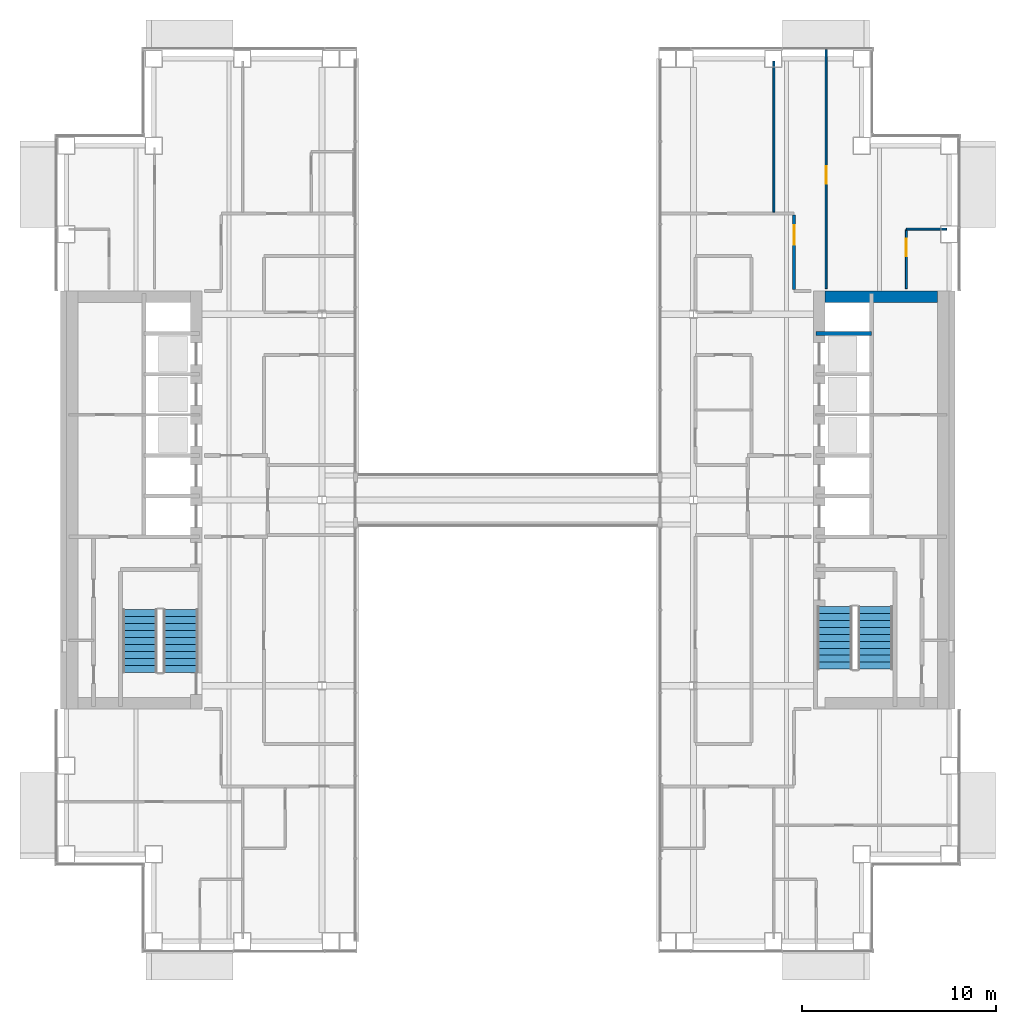
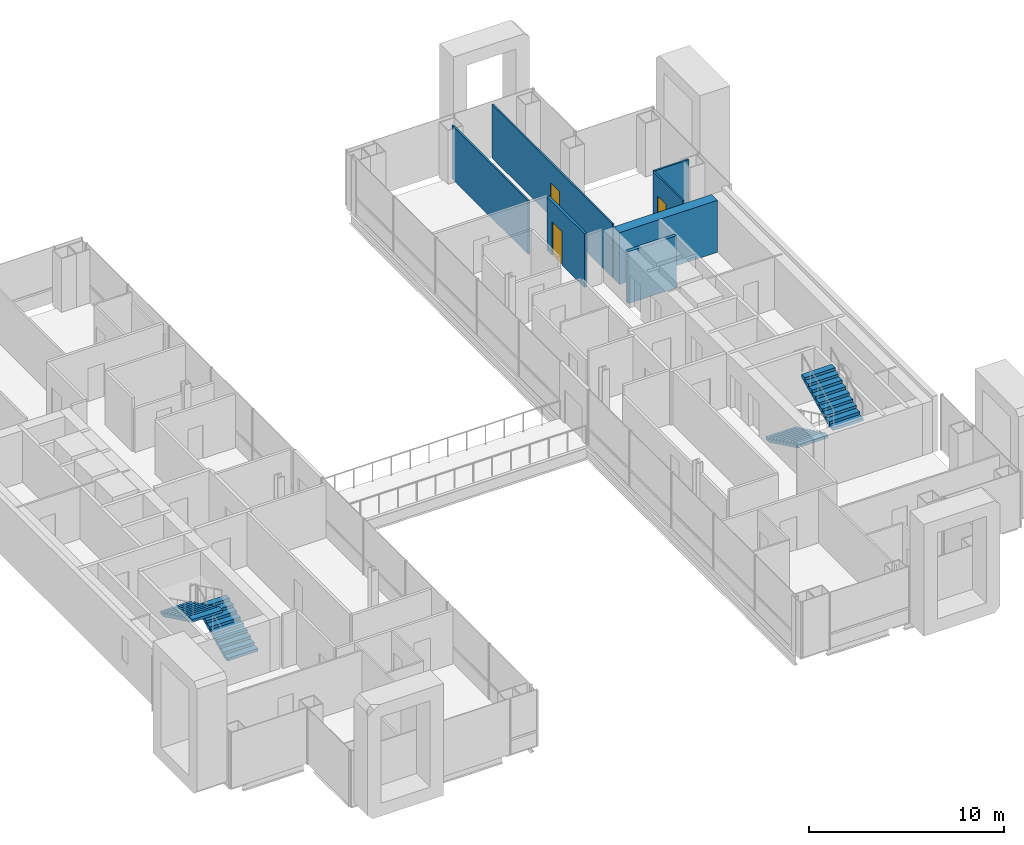
# One storey, part 13 of 17: 7 walls, 4 stair flights, 3 doors, 3 openings, 2 elements without a shape of their own.
"""IFC4 building model written with IfcOpenShell, lengths in metres."""

from ifc_helpers import new_model, si_unit, direction, frame, frame_2d, origin, place, context, subcontext, project, spatial, polyline, rectangle, outline, extrude, material, layer, layer_set, type_object, element, fill, aggregate, save


model = new_model("IFC4")

# Units and contexts
model_context = context("Model", 3, precision=1e-05, world=origin(), true_north=direction((0.0, 1.0)))
body_context = subcontext(model_context, "Body", "Model", "MODEL_VIEW")
ifc_project = project(units=[si_unit("LENGTHUNIT", "METRE"), si_unit("AREAUNIT", "SQUARE_METRE"), si_unit("VOLUMEUNIT", "CUBIC_METRE"), si_unit("PLANEANGLEUNIT", "RADIAN"), si_unit("MASSUNIT", "GRAM", prefix="KILO")], contexts=[model_context])

# Site, building, storey
site_placement = place(None, origin())
site = spatial("IfcSite", under=ifc_project, at=site_placement, CompositionType="ELEMENT")
building_placement = place(site_placement, origin())
building = spatial("IfcBuilding", under=site, at=building_placement, Name="Cobrizo Arcos Hotel Tower", CompositionType="ELEMENT")
storey_placement = place(building_placement, frame((0.0, 0.0, 131.0)))
storey = spatial("IfcBuildingStorey", under=building, at=storey_placement, Name="L33", CompositionType="ELEMENT", Elevation=131.0)

# Wall, opening, door
ifc_material_1 = material(Name="Gypsum board partition")
ifc_layer_1 = layer(ifc_material_1, 0.14990234375)
ifc_layer_set_1 = layer_set([ifc_layer_1], Name="Corridor wall EI 60 150")
wall_type_1 = type_object("IfcWallType", Name="Corridor wall EI 60 150", PredefinedType="PARTITIONING", material=ifc_layer_set_1)
wall_1_placement = place(storey_placement, frame((14.800048828125, 10.875, 0.0), z_axis=(0.0, 0.0, 1.0), x_axis=(0.0, 1.0, 0.0)))
wall_1 = element("IfcWall", 1, at=wall_1_placement, inside=storey, type_object=wall_type_1, Name="Partition 085", PredefinedType="PARTITIONING", context=body_context, shape_type="SweptSolid", body=[
    extrude(rectangle(XDim=3.85009765625, YDim=0.14990234375, at=frame_2d((1.925048828125, 0.0))), origin(), (0.0, 0.0, 1.0), 3.35009765625),
])
opening_1_placement = place(wall_1_placement, frame((2.324951171875, 0.0, 0.0)))
opening_1 = element("IfcOpeningElement", 2, at=opening_1_placement, cuts=wall_1, Name="Opening GD-07", PredefinedType="OPENING", context=body_context, shape_type="SweptSolid", body=[
    extrude(rectangle(XDim=1.0, YDim=2.10009765625, at=frame_2d((0.5, 1.050048828125))), frame((0.0, 0.0869140625, 0.0), z_axis=(0.0, -1.0, 0.0), x_axis=(1.0, 0.0, 0.0)), (0.0, 0.0, 1.0), 0.173828125),
])
ifc_material_2 = material(Name="Timber door leaf", Category="wood")
door_type_1 = type_object("IfcDoorType", Name="Guest room door FD30S 1000x2100", OperationType="SINGLE_SWING_LEFT", PredefinedType="DOOR", material=ifc_material_2)
door_1_placement = place(opening_1_placement, origin())
door_1 = element("IfcDoor", 3, at=door_1_placement, inside=storey, type_object=door_type_1, Name="Door GD-07", OperationType="SINGLE_SWING_LEFT", OverallHeight=2.10009765625, OverallWidth=1.0, PredefinedType="DOOR", context=body_context, shape_type="SweptSolid", body=[
    extrude(rectangle(XDim=1.0, YDim=2.10009765625, at=frame_2d((0.5, 1.050048828125))), frame((0.0, 0.02490234375, 0.0), z_axis=(0.0, -1.0, 0.0), x_axis=(1.0, 0.0, 0.0)), (0.0, 0.0, 1.0), 0.050048828125),
])
fill(opening_1, door_1)

# Walls
ifc_layer_2 = layer(ifc_material_1, 0.10009765625)
ifc_layer_set_2 = layer_set([ifc_layer_2], Name="Partition EI 30 100")
wall_type_2 = type_object("IfcWallType", Name="Partition EI 30 100", PredefinedType="PARTITIONING", material=ifc_layer_set_2)
wall_2_placement = place(storey_placement, frame((20.60009765625, 14.0, 0.0), z_axis=(0.0, 0.0, 1.0), x_axis=(1.0, 0.0, 0.0)))
element("IfcWall", 4, at=wall_2_placement, inside=storey, type_object=wall_type_2, Name="Partition 049", PredefinedType="PARTITIONING", context=body_context, shape_type="SweptSolid", body=[
    extrude(rectangle(XDim=2.079833984375, YDim=0.10009765625, at=frame_2d((1.0400390625, 0.0))), origin(), (0.0, 0.0, 1.0), 3.35009765625),
])
wall_3_placement = place(storey_placement, frame((13.75, 14.875, 0.0), z_axis=(0.0, 0.0, 1.0), x_axis=(0.0, 1.0, 0.0)))
element("IfcWall", 5, at=wall_3_placement, inside=storey, type_object=wall_type_2, Name="Partition 083", PredefinedType="PARTITIONING", context=body_context, shape_type="SweptSolid", body=[
    extrude(rectangle(XDim=7.804931640625, YDim=0.10009765625, at=frame_2d((3.90234375, 0.0))), origin(), (0.0, 0.0, 1.0), 3.35009765625),
])

# Wall, opening, door
wall_4_placement = place(storey_placement, frame((16.449951171875, 10.919921875, 0.0), z_axis=(0.0, 0.0, 1.0), x_axis=(0.0, 1.0, 0.0)))
wall_4 = element("IfcWall", 6, at=wall_4_placement, inside=storey, type_object=wall_type_2, Name="Partition 087", PredefinedType="PARTITIONING", context=body_context, shape_type="SweptSolid", body=[
    extrude(rectangle(XDim=12.360107421875, YDim=0.10009765625, at=frame_2d((6.18017578125, 0.0))), origin(), (0.0, 0.0, 1.0), 3.35009765625),
])
opening_2_placement = place(wall_4_placement, frame((5.429931640625, 0.0, 0.0)))
opening_2 = element("IfcOpeningElement", 7, at=opening_2_placement, cuts=wall_4, Name="Opening RD-13", PredefinedType="OPENING", context=body_context, shape_type="SweptSolid", body=[
    extrude(rectangle(XDim=0.89990234375, YDim=2.10009765625, at=frame_2d((0.449951171875, 1.050048828125))), frame((0.0, 0.06201171875, 0.0), z_axis=(0.0, -1.0, 0.0), x_axis=(1.0, 0.0, 0.0)), (0.0, 0.0, 1.0), 0.1240234375),
])
door_type_2 = type_object("IfcDoorType", Name="Room door FD30 900x2100", OperationType="SINGLE_SWING_LEFT", PredefinedType="DOOR", material=ifc_material_2)
door_2_placement = place(opening_2_placement, origin())
door_2 = element("IfcDoor", 8, at=door_2_placement, inside=storey, type_object=door_type_2, Name="Door RD-13", OperationType="SINGLE_SWING_RIGHT", OverallHeight=2.10009765625, OverallWidth=0.89990234375, PredefinedType="DOOR", context=body_context, shape_type="SweptSolid", body=[
    extrude(rectangle(XDim=0.89990234375, YDim=2.10009765625, at=frame_2d((0.449951171875, 1.050048828125))), frame((0.0, 0.02490234375, 0.0), z_axis=(0.0, -1.0, 0.0), x_axis=(1.0, 0.0, 0.0)), (0.0, 0.0, 1.0), 0.050048828125),
])
fill(opening_2, door_2)

wall_5_placement = place(storey_placement, frame((20.60009765625, 10.919921875, 0.0), z_axis=(0.0, 0.0, 1.0), x_axis=(0.0, 1.0, 0.0)))
wall_5 = element("IfcWall", 9, at=wall_5_placement, inside=storey, type_object=wall_type_2, Name="Partition 091", PredefinedType="PARTITIONING", context=body_context, shape_type="SweptSolid", body=[
    extrude(rectangle(XDim=3.030029296875, YDim=0.10009765625, at=frame_2d((1.51513671875, 0.0))), origin(), (0.0, 0.0, 1.0), 3.35009765625),
])
opening_3_placement = place(wall_5_placement, frame((1.669921875, 0.0, 0.0)))
opening_3 = element("IfcOpeningElement", 10, at=opening_3_placement, cuts=wall_5, Name="Opening ED-07", PredefinedType="OPENING", context=body_context, shape_type="SweptSolid", body=[
    extrude(rectangle(XDim=0.89990234375, YDim=2.10009765625, at=frame_2d((0.449951171875, 1.050048828125))), frame((0.0, 0.06201171875, 0.0), z_axis=(0.0, -1.0, 0.0), x_axis=(1.0, 0.0, 0.0)), (0.0, 0.0, 1.0), 0.1240234375),
])
door_type_3 = type_object("IfcDoorType", Name="En-suite door 900x2100", OperationType="SINGLE_SWING_LEFT", PredefinedType="DOOR", material=ifc_material_2)
door_3_placement = place(opening_3_placement, origin())
door_3 = element("IfcDoor", 11, at=door_3_placement, inside=storey, type_object=door_type_3, Name="Door ED-07", OperationType="SINGLE_SWING_LEFT", OverallHeight=2.10009765625, OverallWidth=0.89990234375, PredefinedType="DOOR", context=body_context, shape_type="SweptSolid", body=[
    extrude(rectangle(XDim=0.89990234375, YDim=2.10009765625, at=frame_2d((0.449951171875, 1.050048828125))), frame((0.0, 0.02490234375, 0.0), z_axis=(0.0, -1.0, 0.0), x_axis=(1.0, 0.0, 0.0)), (0.0, 0.0, 1.0), 0.050048828125),
])
fill(opening_3, door_3)

# Walls
ifc_material_3 = material(Name="Concrete f'c 50 MPa", Category="concrete")
ifc_layer_3 = layer(ifc_material_3, 0.60009765625)
ifc_layer_set_3 = layer_set([ifc_layer_3], Name="RC core wall 600 f'c 50")
wall_type_3 = type_object("IfcWallType", Name="RC core wall 600 f'c 50", PredefinedType="SHEAR", material=ifc_layer_set_3)
wall_6_placement = place(storey_placement, frame((16.39990234375, 10.5, 0.0), z_axis=(0.0, 0.0, 1.0), x_axis=(1.0, 0.0, 0.0)))
element("IfcWall", 12, at=wall_6_placement, inside=storey, type_object=wall_type_3, Name="Core wall CW2, east core, north end, L33", PredefinedType="SHEAR", context=body_context, shape_type="SweptSolid", body=[
    extrude(rectangle(XDim=5.800048828125, YDim=0.60009765625, at=frame_2d((2.89990234375, 0.0))), origin(), (0.0, 0.0, 1.0), 3.25),
])
ifc_layer_4 = layer(ifc_material_1, 0.199951171875)
ifc_layer_set_4 = layer_set([ifc_layer_4], Name="Shaft wall EI 120 200")
wall_type_4 = type_object("IfcWallType", Name="Shaft wall EI 120 200", PredefinedType="PARTITIONING", material=ifc_layer_set_4)
wall_7_placement = place(storey_placement, frame((15.919921875, 8.60009765625, 0.0), z_axis=(0.0, 0.0, 1.0), x_axis=(1.0, 0.0, 0.0)))
element("IfcWall", 13, at=wall_7_placement, inside=storey, type_object=wall_type_4, Name="Partition 039", PredefinedType="PARTITIONING", context=body_context, shape_type="SweptSolid", body=[
    extrude(rectangle(XDim=2.880126953125, YDim=0.199951171875, at=frame_2d((1.43994140625, 0.0))), origin(), (0.0, 0.0, 1.0), 3.25),
])

# Stair, stair flights
ifc_material_4 = material(Name="Concrete f'c 40 MPa", Category="concrete")
stair_type = type_object("IfcStairType", Name="Exit stair", PredefinedType="HALF_TURN_STAIR", material=ifc_material_4)
stair_1_placement = place(storey_placement, origin())
stair_1 = element("IfcStair", 14, at=stair_1_placement, inside=storey, type_object=stair_type, Name="L33 Exit stair ST-W", PredefinedType="HALF_TURN_STAIR")
stair_flight_type = type_object("IfcStairFlightType", Name="Exit stair flight", PredefinedType="STRAIGHT", material=ifc_material_4)
stair_flight_1_placement = place(storey_placement, frame((-16.89990234375, -8.89990234375, 0.0), z_axis=(0.0, 0.0, 1.0), x_axis=(0.0, 1.0, 0.0)))
stair_flight_1 = element("IfcStairFlight", 15, at=stair_flight_1_placement, type_object=stair_flight_type, Name="ST-W flight 1", NumberOfRisers=10, NumberOfTreads=9, PredefinedType="STRAIGHT", RiserHeight=0.175, TreadLength=0.36, context=body_context, shape_type="SweptSolid", body=[
    extrude(outline(polyline([(0.0, 0.0), (0.0, 0.175048828125), (0.360107421875, 0.175048828125), (0.360107421875, 0.35009765625), (0.719970703125, 0.35009765625), (0.719970703125, 0.52490234375), (1.080078125, 0.52490234375), (1.080078125, 0.699951171875), (1.43994140625, 0.699951171875), (1.43994140625, 0.875), (1.800048828125, 0.875), (1.800048828125, 1.050048828125), (2.159912109375, 1.050048828125), (2.159912109375, 1.22509765625), (2.52001953125, 1.22509765625), (2.52001953125, 1.39990234375), (2.8798828125, 1.39990234375), (2.8798828125, 1.574951171875), (3.239990234375, 1.574951171875), (3.239990234375, 1.75), (3.239990234375, 1.408203125), (0.3427734375, 0.0), (0.0, 0.0)])), frame((0.0, 0.89990234375, 0.0), z_axis=(0.0, -1.0, 0.0), x_axis=(1.0, 0.0, 0.0)), (0.0, 0.0, 1.0), 1.800048828125),
])
stair_flight_2_placement = place(storey_placement, frame((-19.0, -5.659912109375, 1.75), z_axis=(0.0, 0.0, 1.0), x_axis=(0.0, -1.0, 0.0)))
stair_flight_2 = element("IfcStairFlight", 16, at=stair_flight_2_placement, type_object=stair_flight_type, Name="ST-W flight 2", NumberOfRisers=10, NumberOfTreads=9, PredefinedType="STRAIGHT", RiserHeight=0.175, TreadLength=0.36, context=body_context, shape_type="SweptSolid", body=[
    extrude(outline(polyline([(0.0, 0.0), (0.0, 0.175048828125), (0.360107421875, 0.175048828125), (0.360107421875, 0.35009765625), (0.719970703125, 0.35009765625), (0.719970703125, 0.52490234375), (1.080078125, 0.52490234375), (1.080078125, 0.699951171875), (1.43994140625, 0.699951171875), (1.43994140625, 0.875), (1.800048828125, 0.875), (1.800048828125, 1.050048828125), (2.159912109375, 1.050048828125), (2.159912109375, 1.22509765625), (2.52001953125, 1.22509765625), (2.52001953125, 1.39990234375), (2.8798828125, 1.39990234375), (2.8798828125, 1.574951171875), (3.239990234375, 1.574951171875), (3.239990234375, 1.75), (3.239990234375, 1.408203125), (0.3427734375, 0.0), (0.0, 0.0)])), frame((0.0, 0.89990234375, 0.0), z_axis=(0.0, -1.0, 0.0), x_axis=(1.0, 0.0, 0.0)), (0.0, 0.0, 1.0), 1.800048828125),
])
aggregate(stair_1, [stair_flight_1, stair_flight_2])

stair_2_placement = place(storey_placement, origin())
stair_2 = element("IfcStair", 17, at=stair_2_placement, inside=storey, type_object=stair_type, Name="L33 Exit stair ST-E", PredefinedType="HALF_TURN_STAIR")
stair_flight_3_placement = place(storey_placement, frame((16.89990234375, -5.5, 0.0), z_axis=(0.0, 0.0, 1.0), x_axis=(0.0, -1.0, 0.0)))
stair_flight_3 = element("IfcStairFlight", 18, at=stair_flight_3_placement, type_object=stair_flight_type, Name="ST-E flight 1", NumberOfRisers=10, NumberOfTreads=9, PredefinedType="STRAIGHT", RiserHeight=0.175, TreadLength=0.36, context=body_context, shape_type="SweptSolid", body=[
    extrude(outline(polyline([(0.0, 0.0), (0.0, 0.175048828125), (0.360107421875, 0.175048828125), (0.360107421875, 0.35009765625), (0.719970703125, 0.35009765625), (0.719970703125, 0.52490234375), (1.080078125, 0.52490234375), (1.080078125, 0.699951171875), (1.43994140625, 0.699951171875), (1.43994140625, 0.875), (1.800048828125, 0.875), (1.800048828125, 1.050048828125), (2.159912109375, 1.050048828125), (2.159912109375, 1.22509765625), (2.52001953125, 1.22509765625), (2.52001953125, 1.39990234375), (2.8798828125, 1.39990234375), (2.8798828125, 1.574951171875), (3.239990234375, 1.574951171875), (3.239990234375, 1.75), (3.239990234375, 1.408203125), (0.3427734375, 0.0), (0.0, 0.0)])), frame((0.0, 0.89990234375, 0.0), z_axis=(0.0, -1.0, 0.0), x_axis=(1.0, 0.0, 0.0)), (0.0, 0.0, 1.0), 1.800048828125),
])
stair_flight_4_placement = place(storey_placement, frame((19.0, -8.739990234375, 1.75), z_axis=(0.0, 0.0, 1.0), x_axis=(0.0, 1.0, 0.0)))
stair_flight_4 = element("IfcStairFlight", 19, at=stair_flight_4_placement, type_object=stair_flight_type, Name="ST-E flight 2", NumberOfRisers=10, NumberOfTreads=9, PredefinedType="STRAIGHT", RiserHeight=0.175, TreadLength=0.36, context=body_context, shape_type="SweptSolid", body=[
    extrude(outline(polyline([(0.0, 0.0), (0.0, 0.175048828125), (0.360107421875, 0.175048828125), (0.360107421875, 0.35009765625), (0.719970703125, 0.35009765625), (0.719970703125, 0.52490234375), (1.080078125, 0.52490234375), (1.080078125, 0.699951171875), (1.43994140625, 0.699951171875), (1.43994140625, 0.875), (1.800048828125, 0.875), (1.800048828125, 1.050048828125), (2.159912109375, 1.050048828125), (2.159912109375, 1.22509765625), (2.52001953125, 1.22509765625), (2.52001953125, 1.39990234375), (2.8798828125, 1.39990234375), (2.8798828125, 1.574951171875), (3.239990234375, 1.574951171875), (3.239990234375, 1.75), (3.239990234375, 1.408203125), (0.3427734375, 0.0), (0.0, 0.0)])), frame((0.0, 0.89990234375, 0.0), z_axis=(0.0, -1.0, 0.0), x_axis=(1.0, 0.0, 0.0)), (0.0, 0.0, 1.0), 1.800048828125),
])
aggregate(stair_2, [stair_flight_3, stair_flight_4])

save(model, "model.ifc")
